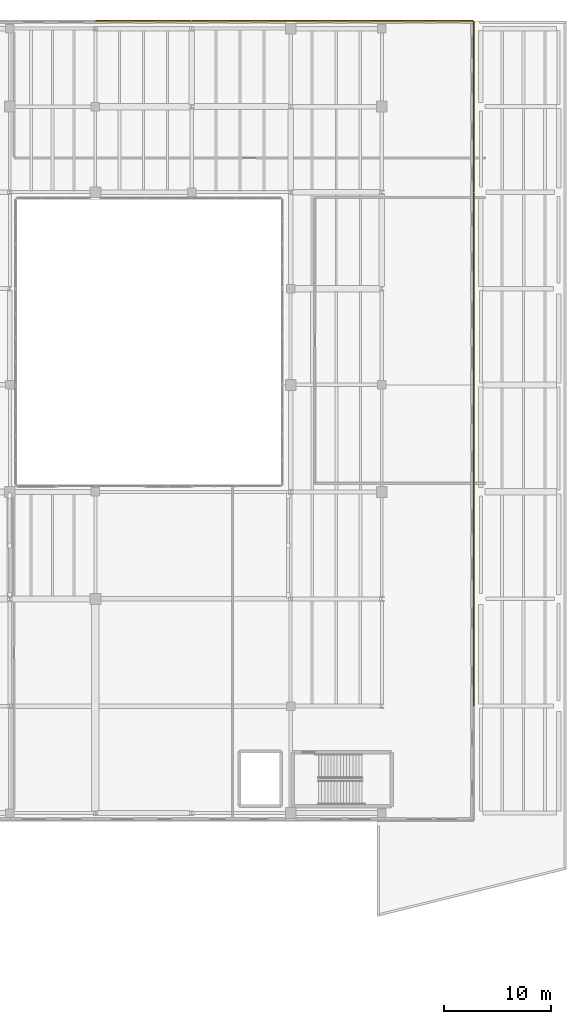
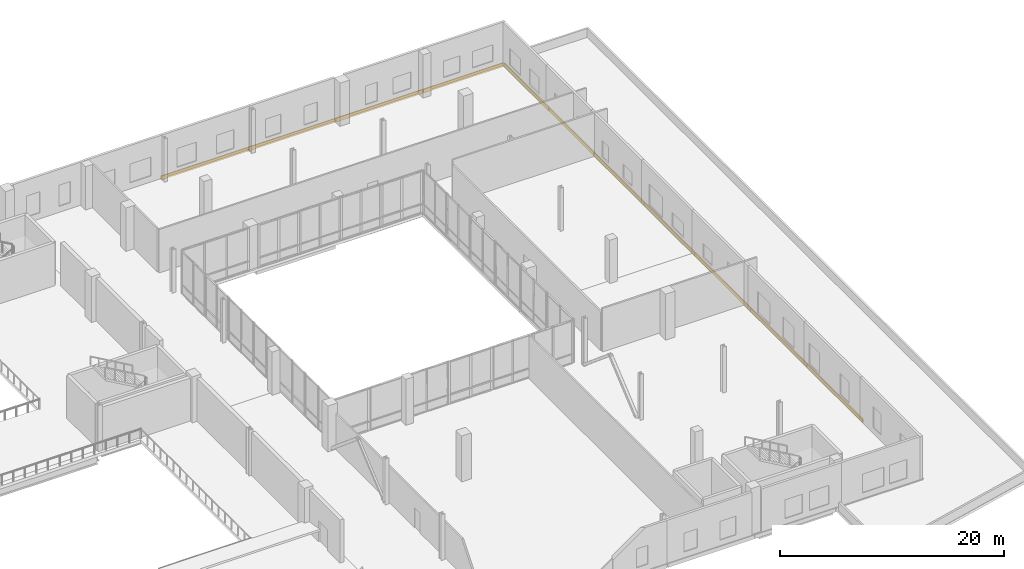
# One storey, part 73 of 73: 11 coverings.
"""IFC4 building model written with IfcOpenShell, lengths in metres."""

from ifc_helpers import new_model, si_unit, direction, frame, origin, origin_2d, place, context, subcontext, project, spatial, rectangle, extrude, material, layer, layer_set, type_object, element, save


model = new_model("IFC4")

# Units and contexts
model_context = context("Model", 3, precision=1e-05, world=origin(), true_north=direction((0.0, 1.0)))
body_context = subcontext(model_context, "Body", "Model", "MODEL_VIEW")
ifc_project = project(units=[si_unit("LENGTHUNIT", "METRE"), si_unit("AREAUNIT", "SQUARE_METRE"), si_unit("VOLUMEUNIT", "CUBIC_METRE"), si_unit("PLANEANGLEUNIT", "RADIAN"), si_unit("MASSUNIT", "GRAM", prefix="KILO")], contexts=[model_context])

# Site, building, storey
site_placement = place(None, origin())
site = spatial("IfcSite", under=ifc_project, at=site_placement, CompositionType="ELEMENT")
building_placement = place(site_placement, origin())
building = spatial("IfcBuilding", under=site, at=building_placement, Name="Trimount Lyric Opera House", CompositionType="ELEMENT")
storey_placement = place(building_placement, frame((0.0, 0.0, 10.0)))
storey = spatial("IfcBuildingStorey", under=building, at=storey_placement, Name="L02", CompositionType="ELEMENT", Elevation=10.0)

# Coverings
ifc_material = material(Name="Architectural Precast Concrete Spandrel Band", Category="concrete")
ifc_layer = layer(ifc_material, 0.094970703125)
ifc_layer_set = layer_set([ifc_layer], Name="CLD-WING1")
covering_type = type_object("IfcCoveringType", Name="CLD-WING1", PredefinedType="CLADDING", material=ifc_layer_set)
for number, where, z_axis, x_axis, name in (
    (1, (134.5, 118.04150390625, -0.369873046875), (0.0, 0.0, 1.0), (1.0, 0.0, 0.0), "L02 precast slab-edge spandrel 218"),
    (2, (143.5, 118.04150390625, -0.369873046875), (0.0, 0.0, 1.0), (1.0, 0.0, 0.0), "L02 precast slab-edge spandrel 219"),
    (3, (152.5, 118.04150390625, -0.369873046875), (0.0, 0.0, 1.0), (1.0, 0.0, 0.0), "L02 precast slab-edge spandrel 220"),
):
    element("IfcCovering", number, at=place(storey_placement, frame(where, z_axis=z_axis, x_axis=x_axis)), inside=storey, type_object=covering_type, Name=name, PredefinedType="CLADDING", context=body_context, shape_type="SweptSolid", body=[
        extrude(rectangle(XDim=8.93994140625, YDim=0.094970703125, at=origin_2d()), origin(), (0.0, 0.0, 1.0), 0.419921875),
    ])
covering_placement = place(storey_placement, frame((161.159912109375, 118.04150390625, -0.369873046875), z_axis=(0.0, 0.0, 1.0), x_axis=(1.0, 0.0, 0.0)))
element("IfcCovering", 4, at=covering_placement, inside=storey, type_object=covering_type, Name="L02 precast slab-edge spandrel 221", PredefinedType="CLADDING", context=body_context, shape_type="SweptSolid", body=[
    extrude(rectangle(XDim=8.260009765625, YDim=0.094970703125, at=origin_2d()), origin(), (0.0, 0.0, 1.0), 0.419921875),
])
for number, where, z_axis, x_axis, name in (
    (5, (165.361572265625, 114.0, -0.369873046875), (0.0, 0.0, 1.0), (0.0, -1.0, 0.0), "L02 precast slab-edge spandrel 222"),
    (6, (165.361572265625, 106.0, -0.369873046875), (0.0, 0.0, 1.0), (0.0, -1.0, 0.0), "L02 precast slab-edge spandrel 223"),
):
    element("IfcCovering", number, at=place(storey_placement, frame(where, z_axis=z_axis, x_axis=x_axis)), inside=storey, type_object=covering_type, Name=name, PredefinedType="CLADDING", context=body_context, shape_type="SweptSolid", body=[
        extrude(rectangle(XDim=7.93994140625, YDim=0.094970703125, at=origin_2d()), origin(), (0.0, 0.0, 1.0), 0.419921875),
    ])
for number, where, z_axis, x_axis, name in (
    (7, (165.361572265625, 97.5, -0.369873046875), (0.0, 0.0, 1.0), (0.0, -1.0, 0.0), "L02 precast slab-edge spandrel 224"),
    (8, (165.361572265625, 88.5, -0.369873046875), (0.0, 0.0, 1.0), (0.0, -1.0, 0.0), "L02 precast slab-edge spandrel 225"),
):
    element("IfcCovering", number, at=place(storey_placement, frame(where, z_axis=z_axis, x_axis=x_axis)), inside=storey, type_object=covering_type, Name=name, PredefinedType="CLADDING", context=body_context, shape_type="SweptSolid", body=[
        extrude(rectangle(XDim=8.93994140625, YDim=0.094970703125, at=origin_2d()), origin(), (0.0, 0.0, 1.0), 0.419921875),
    ])
for number, where, z_axis, x_axis, name in (
    (9, (165.361572265625, 79.0, -0.369873046875), (0.0, 0.0, 1.0), (0.0, -1.0, 0.0), "L02 precast slab-edge spandrel 226"),
    (10, (165.361572265625, 69.0, -0.369873046875), (0.0, 0.0, 1.0), (0.0, -1.0, 0.0), "L02 precast slab-edge spandrel 227"),
    (11, (165.361572265625, 59.0, -0.369873046875), (0.0, 0.0, 1.0), (0.0, -1.0, 0.0), "L02 precast slab-edge spandrel 228"),
):
    element("IfcCovering", number, at=place(storey_placement, frame(where, z_axis=z_axis, x_axis=x_axis)), inside=storey, type_object=covering_type, Name=name, PredefinedType="CLADDING", context=body_context, shape_type="SweptSolid", body=[
        extrude(rectangle(XDim=9.93994140625, YDim=0.094970703125, at=origin_2d()), origin(), (0.0, 0.0, 1.0), 0.419921875),
    ])

save(model, "model.ifc")
